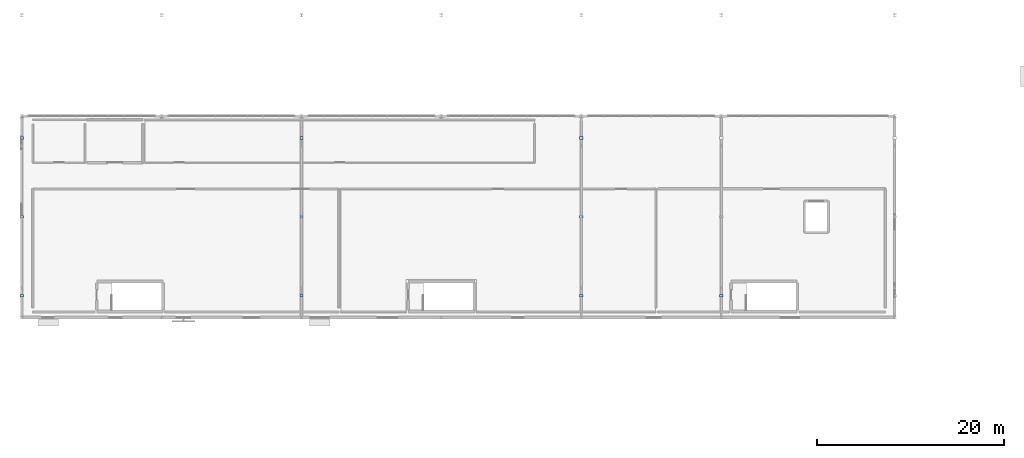
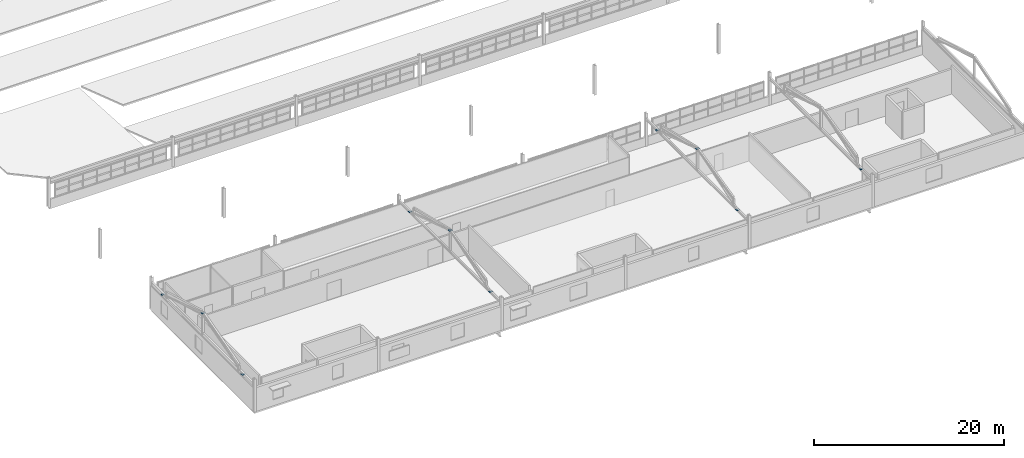
# One storey, part 54 of 90: 10 plates.
"""IFC4 building model written with IfcOpenShell, lengths in metres."""

from ifc_helpers import new_model, si_unit, direction, frame, origin, origin_2d, place, context, subcontext, project, spatial, rectangle, extrude, material, layer, layer_set, type_object, element, save


model = new_model("IFC4")

# Units and contexts
model_context = context("Model", 3, precision=1e-05, world=origin(), true_north=direction((0.0, 1.0)))
body_context = subcontext(model_context, "Body", "Model", "MODEL_VIEW")
ifc_project = project(units=[si_unit("LENGTHUNIT", "METRE"), si_unit("AREAUNIT", "SQUARE_METRE"), si_unit("VOLUMEUNIT", "CUBIC_METRE"), si_unit("PLANEANGLEUNIT", "RADIAN"), si_unit("MASSUNIT", "GRAM", prefix="KILO")], contexts=[model_context])

# Site, building, storey
site_placement = place(None, origin())
site = spatial("IfcSite", under=ifc_project, at=site_placement, CompositionType="ELEMENT")
building_placement = place(site_placement, origin())
building = spatial("IfcBuilding", under=site, at=building_placement, Name="Solanera Park Tramway Depot", CompositionType="ELEMENT")
storey_placement = place(building_placement, frame((0.0, 0.0, 9.0)))
storey = spatial("IfcBuildingStorey", under=building, at=storey_placement, Name="L02", CompositionType="ELEMENT", Elevation=9.0)

# Plates
ifc_material = material(Name="Steel AS/NZS 3679.1 Grade 350", Category="steel")
ifc_layer = layer(ifc_material, 0.01806640625)
ifc_layer_set = layer_set([ifc_layer], Name="Steel AS/NZS 3679.1 Grade 350")
plate_type = type_object("IfcPlateType", Name="Hollow End Cap and Base Plate 360x280x18", PredefinedType="USERDEFINED", material=ifc_layer_set)
for number, where, z_axis, x_axis, name in (
    (1, (0.0, 13.1533203125, 3.329345703125), (0.0, 0.0, 1.0), (1.0, 0.0, 0.0), "Hip Truss Web Sealed Cap Plate #1104"),
    (2, (0.0, 21.60009765625, 6.060791015625), (0.0, 0.0, 1.0), (1.0, 0.0, 0.0), "Hip Truss Web Sealed Cap Plate #1105"),
    (3, (0.0, 30.046630859375, 3.329345703125), (0.0, 0.0, 1.0), (1.0, 0.0, 0.0), "Hip Truss Web Sealed Cap Plate #1106"),
    (4, (30.0, 13.1533203125, 3.444091796875), (0.0, 0.0, 1.0), (1.0, 0.0, 0.0), "Hip Truss Web Sealed Cap Plate #1107"),
    (5, (30.0, 21.60009765625, 6.17529296875), (0.0, 0.0, 1.0), (1.0, 0.0, 0.0), "Hip Truss Web Sealed Cap Plate #1108"),
    (6, (30.0, 30.046630859375, 3.444091796875), (0.0, 0.0, 1.0), (1.0, 0.0, 0.0), "Hip Truss Web Sealed Cap Plate #1109"),
    (7, (60.0, 13.1533203125, 3.418212890625), (0.0, 0.0, 1.0), (1.0, 0.0, 0.0), "Hip Truss Web Sealed Cap Plate #1110"),
    (8, (60.0, 21.60009765625, 6.1494140625), (0.0, 0.0, 1.0), (1.0, 0.0, 0.0), "Hip Truss Web Sealed Cap Plate #1111"),
    (9, (60.0, 30.046630859375, 3.418212890625), (0.0, 0.0, 1.0), (1.0, 0.0, 0.0), "Hip Truss Web Sealed Cap Plate #1112"),
    (10, (75.0, 13.1533203125, 3.392822265625), (0.0, 0.0, 1.0), (1.0, 0.0, 0.0), "Hip Truss Web Sealed Cap Plate #1113"),
):
    element("IfcPlate", number, at=place(storey_placement, frame(where, z_axis=z_axis, x_axis=x_axis)), inside=storey, type_object=plate_type, Name=name, ObjectType="BASE PLATE", PredefinedType="USERDEFINED", context=body_context, shape_type="SweptSolid", body=[
        extrude(rectangle(XDim=0.360107421875, YDim=0.280029296875, at=origin_2d()), origin(), (0.0, 0.0, 1.0), 0.01806640625),
    ])

save(model, "model.ifc")
